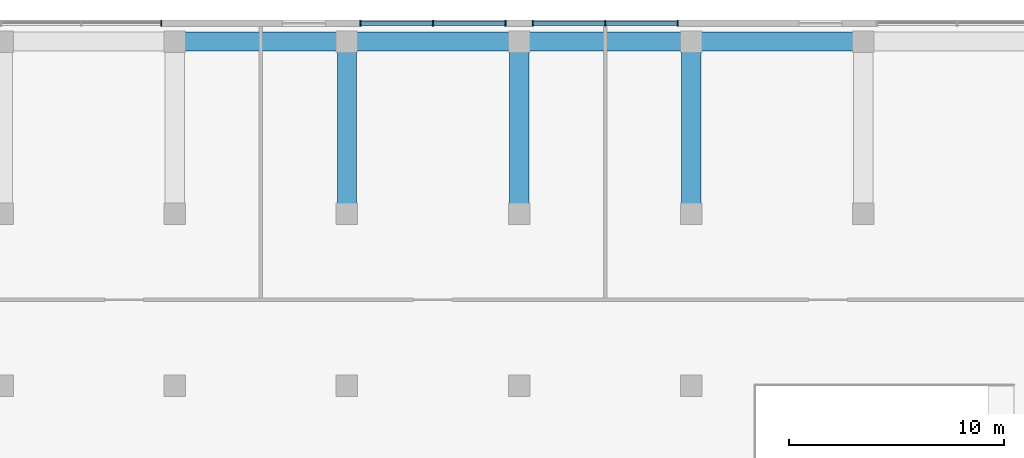
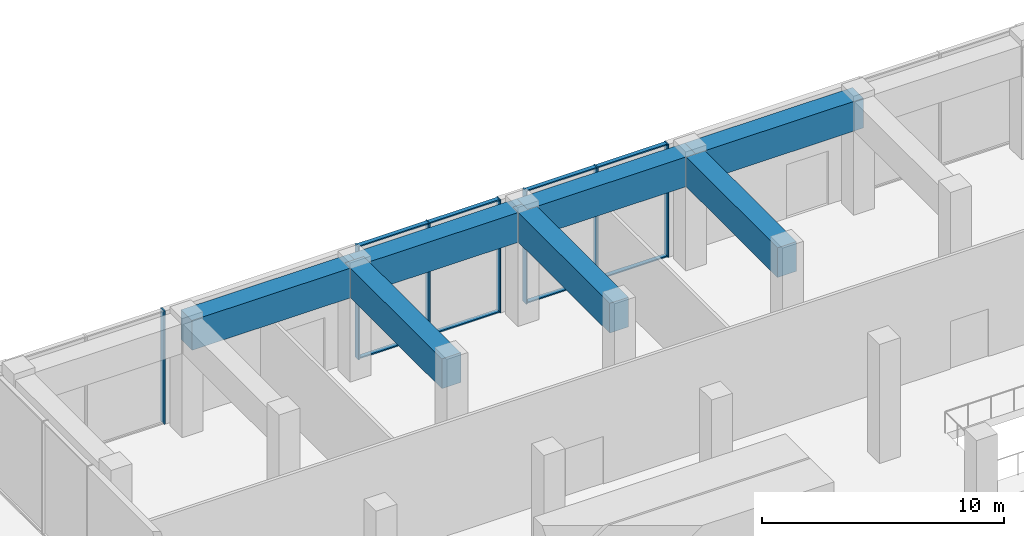
# One storey, part 17 of 39: 15 members, 7 beams, 3 elements without a shape of their own.
"""IFC4 building model written with IfcOpenShell, lengths in metres."""

import ifcopenshell
import ifcopenshell.guid

model = None  # the IFC model being written
_history = None  # IfcOwnerHistory: only IFC2X3 demands one
_inside = {}  # id of a spatial element -> (the spatial element, [elements in it])
_under = {}  # id of a project, library or spatial element -> (it, [spatial elements below it])
_declared = {}  # id of a project -> (the project, [libraries it declares])
_typed = {}  # id of a type object -> (the type object, [elements of that type])
_made_of = {}  # id of a material, layer set ... -> (it, [elements and type objects made of it])


def new_model(schema):
    """Start an empty IFC model of exactly this schema.

    Asked for "IFC4X3", IfcOpenShell would pick the latest addendum, in which some entities
    have other attributes; the version numbers below select the first issue.
    IFC2X3 requires an IfcOwnerHistory on every rooted entity: one is made here for all.
    """
    global model, _history
    if schema == "IFC4X3":
        model = ifcopenshell.file(schema_version=(4, 3, 0, 0))
    else:
        model = ifcopenshell.file(schema=schema)
    _inside.clear()
    _under.clear()
    _declared.clear()
    _typed.clear()
    _made_of.clear()
    _history = None
    if model.schema == "IFC2X3":
        org = make("IfcOrganization", Name="unknown")
        user = make(
            "IfcPersonAndOrganization",
            ThePerson=make("IfcPerson", FamilyName="unknown"),
            TheOrganization=org,
        )
        app = make(
            "IfcApplication",
            ApplicationDeveloper=org,
            Version="unknown",
            ApplicationFullName="unknown",
            ApplicationIdentifier="unknown",
        )
        _history = make(
            "IfcOwnerHistory",
            OwningUser=user,
            OwningApplication=app,
            ChangeAction="ADDED",
            CreationDate=0,
        )
    return model


def make(cls, **values):
    """One entity of the class cls with the attributes given. An attribute that is None is left unset."""
    return model.create_entity(
        cls, **{name: value for name, value in values.items() if value is not None}
    )


def rooted(cls, **values):
    """An entity with a GlobalId (a new one), such as an element, a storey or a relation."""
    return make(cls, GlobalId=ifcopenshell.guid.new(), OwnerHistory=_history, **values)


def si_unit(unit_type, name, prefix=None):
    """IfcSIUnit, for example si_unit("LENGTHUNIT", "METRE", prefix="MILLI")."""
    return make("IfcSIUnit", UnitType=unit_type, Prefix=prefix, Name=name)


def assignment(units):
    """IfcUnitAssignment: the units of a project."""
    return None if units is None else make("IfcUnitAssignment", Units=units)


def point(xyz):
    """IfcCartesianPoint."""
    return None if xyz is None else make("IfcCartesianPoint", Coordinates=xyz)


def direction(xyz):
    """IfcDirection."""
    return None if xyz is None else make("IfcDirection", DirectionRatios=xyz)


def frame(location, z_axis=None, x_axis=None):
    """IfcAxis2Placement3D, a coordinate frame: its origin and axes. An axis left out is left unset."""
    return make(
        "IfcAxis2Placement3D",
        Location=point(location),
        Axis=direction(z_axis),
        RefDirection=direction(x_axis),
    )


def frame_2d(location, x_axis=None):
    """IfcAxis2Placement2D, a coordinate frame in the plane: its origin and x axis."""
    return make(
        "IfcAxis2Placement2D", Location=point(location), RefDirection=direction(x_axis)
    )


def origin():
    """The frame at (0, 0, 0) with its axes left unset."""
    return frame((0.0, 0.0, 0.0))


def origin_2d():
    """The frame at (0, 0) in the plane with its x axis left unset."""
    return frame_2d((0.0, 0.0))


def place(relative_to, where):
    """IfcLocalPlacement: puts the frame where relative to a parent placement (None: the world)."""
    return make(
        "IfcLocalPlacement", PlacementRelTo=relative_to, RelativePlacement=where
    )


def context(
    kind, dimensions, precision=None, world=None, true_north=None, identifier=None
):
    """IfcGeometricRepresentationContext, for example the 3D "Model" context."""
    return make(
        "IfcGeometricRepresentationContext",
        ContextIdentifier=identifier,
        ContextType=kind,
        CoordinateSpaceDimension=dimensions,
        Precision=precision,
        WorldCoordinateSystem=world,
        TrueNorth=true_north,
    )


def subcontext(parent, identifier, kind, view, scale=None):
    """IfcGeometricRepresentationSubContext, for example "Body" below "Model"."""
    return make(
        "IfcGeometricRepresentationSubContext",
        ContextIdentifier=identifier,
        ContextType=kind,
        ParentContext=parent,
        TargetScale=scale,
        TargetView=view,
    )


def project(units=None, contexts=None):
    """IfcProject with its units and contexts."""
    return rooted(
        "IfcProject",
        Name="project",
        RepresentationContexts=contexts,
        UnitsInContext=assignment(units),
    )


def spatial(cls, under=None, at=None, **own):
    """A site, building, storey or space (cls), placed at a placement, below another one or the project."""
    s = rooted(cls, ObjectPlacement=at, **own)
    if under is not None:
        _under.setdefault(under.id(), (under, []))[1].append(s)
    return s


def profile(cls, at=None, kind="AREA", **sizes):
    """A parametric profile (cls). Its sizes go by their IFC names, for example OverallWidth=200.0."""
    return make(cls, ProfileType=kind, Position=at, **sizes)


def rectangle(**sizes):
    """IfcRectangleProfileDef."""
    return profile("IfcRectangleProfileDef", **sizes)


def extrude(swept, where, along, depth):
    """IfcExtrudedAreaSolid: the profile swept, set in the frame where, extruded along a direction by depth."""
    return make(
        "IfcExtrudedAreaSolid",
        SweptArea=swept,
        Position=where,
        ExtrudedDirection=direction(along),
        Depth=depth,
    )


def shape(context_of_items, identifier, shape_type, items):
    """IfcShapeRepresentation: the items that make up one representation, for example the "Body"."""
    return make(
        "IfcShapeRepresentation",
        ContextOfItems=context_of_items,
        RepresentationIdentifier=identifier,
        RepresentationType=shape_type,
        Items=items,
    )


def material(Name=None, Category=None):
    """IfcMaterial."""
    return make("IfcMaterial", Name=Name, Category=Category)


def material_profile(
    of_material, cross_section, Name=None, Category=None, Priority=None
):
    """IfcMaterialProfile: a cross section and its material."""
    return make(
        "IfcMaterialProfile",
        Name=Name,
        Material=of_material,
        Profile=cross_section,
        Priority=Priority,
        Category=Category,
    )


def profile_set(profiles, Name=None, composite=None):
    """IfcMaterialProfileSet."""
    return make(
        "IfcMaterialProfileSet",
        Name=Name,
        MaterialProfiles=profiles,
        CompositeProfile=composite,
    )


def made_of(thing, what):
    """Note that an element or type object is made of a material, layer set ...; save() writes the relation."""
    if what is not None:
        _made_of.setdefault(what.id(), (what, []))[1].append(thing)
    return thing


def type_object(cls, material=None, **own):
    """A type object (cls), such as IfcWallType, which elements share."""
    return made_of(rooted(cls, **own), material)


def element(
    cls,
    number,
    at=None,
    inside=None,
    cuts=None,
    type_object=None,
    material=None,
    context=None,
    identifier="Body",
    shape_type=None,
    held_by="IfcProductDefinitionShape",
    body=None,
    shapes=None,
    **own,
):
    """One element of the class cls, such as IfcWall. Its Tag is "e" and its number.

    at: its placement. inside: the storey or other place that contains it. cuts: it is an
    opening in that element (IfcRelVoidsElement). A single representation is given by context,
    identifier, shape_type and body (its items); several are given by shapes. held_by: the class
    of the entity that holds the representations. save() writes the other relations.
    """
    e = rooted(cls, Tag="e%d" % number, ObjectPlacement=at, **own)
    if body is not None:
        shapes = [shape(context, identifier, shape_type, body)]
    if shapes is not None:
        e.Representation = make(held_by, Representations=shapes)
    if inside is not None:
        _inside.setdefault(inside.id(), (inside, []))[1].append(e)
    if cuts is not None:
        rooted(
            "IfcRelVoidsElement", RelatingBuildingElement=cuts, RelatedOpeningElement=e
        )
    if type_object is not None:
        _typed.setdefault(type_object.id(), (type_object, []))[1].append(e)
    return made_of(e, material)


def aggregate(whole, parts):
    """IfcRelAggregates: a whole, such as a stair, and the parts it consists of."""
    return rooted("IfcRelAggregates", RelatingObject=whole, RelatedObjects=parts)


def save(model, path):
    """Write the relations noted so far, then the file.

    IfcRelAggregates (storeys below a building ...), IfcRelContainedInSpatialStructure (elements
    in a storey), IfcRelDefinesByType, IfcRelAssociatesMaterial and IfcRelDeclares: one each for
    every whole, place, type object, material and project.
    """
    for whole, parts in _under.values():
        aggregate(whole, parts)
    for where, things in _inside.values():
        rooted(
            "IfcRelContainedInSpatialStructure",
            RelatedElements=things,
            RelatingStructure=where,
        )
    for kind, things in _typed.values():
        rooted("IfcRelDefinesByType", RelatedObjects=things, RelatingType=kind)
    for what, things in _made_of.values():
        rooted("IfcRelAssociatesMaterial", RelatedObjects=things, RelatingMaterial=what)
    for by, libraries in _declared.values():
        rooted("IfcRelDeclares", RelatingContext=by, RelatedDefinitions=libraries)
    model.write(path)


model = new_model("IFC4")

# Units and contexts
model_context = context("Model", 3, precision=1e-05, world=origin(), true_north=direction((0.0, 1.0)))
body_context = subcontext(model_context, "Body", "Model", "MODEL_VIEW")
ifc_project = project(units=[si_unit("LENGTHUNIT", "METRE"), si_unit("AREAUNIT", "SQUARE_METRE"), si_unit("VOLUMEUNIT", "CUBIC_METRE"), si_unit("PLANEANGLEUNIT", "RADIAN"), si_unit("MASSUNIT", "GRAM", prefix="KILO")], contexts=[model_context])

# Site, building, storey
site_placement = place(None, origin())
site = spatial("IfcSite", under=ifc_project, at=site_placement, CompositionType="ELEMENT")
building_placement = place(site_placement, origin())
building = spatial("IfcBuilding", under=site, at=building_placement, Name="Ostroluk Exchange", CompositionType="ELEMENT")
storey_placement = place(building_placement, origin())
storey = spatial("IfcBuildingStorey", under=building, at=storey_placement, Name="L00", CompositionType="ELEMENT", Elevation=0.0)

# Beams
ifc_material_1 = material(Name="Concrete C50/60", Category="concrete")
ifc_material_profile_1 = material_profile(ifc_material_1, rectangle(XDim=0.89990234375, YDim=1.5, at=origin_2d()), Name="RC 900x1500")
ifc_profile_set_1 = profile_set([ifc_material_profile_1], Name="Concrete C50/60")
beam_type = type_object("IfcBeamType", Name="Podium edge beam RC 900x1500", PredefinedType="BEAM", material=ifc_profile_set_1)
for number, where, z_axis, x_axis, name in (
    (1, (109.0, 94.0, 4.949951171875), (0.0, -1.0, 0.0), (1.0, 0.0, 0.0), "Terrace beam L01 east N 109"),
    (2, (117.0, 94.0, 4.949951171875), (0.0, -1.0, 0.0), (1.0, 0.0, 0.0), "Terrace beam L01 east N 117"),
    (3, (125.0, 94.0, 4.949951171875), (0.0, -1.0, 0.0), (1.0, 0.0, 0.0), "Terrace beam L01 east N 125"),
    (4, (101.0, 94.0, 4.949951171875), (1.0, 0.0, 0.0), (0.0, 1.0, 0.0), "Terrace bay beam L01 Y94-101"),
    (5, (109.0, 94.0, 4.949951171875), (1.0, 0.0, 0.0), (0.0, 1.0, 0.0), "Terrace bay beam L01 Y94-109"),
    (6, (117.0, 94.0, 4.949951171875), (1.0, 0.0, 0.0), (0.0, 1.0, 0.0), "Terrace bay beam L01 Y94-117"),
    (7, (125.0, 94.0, 4.949951171875), (1.0, 0.0, 0.0), (0.0, 1.0, 0.0), "Terrace bay beam L01 Y94-125"),
):
    element("IfcBeam", number, at=place(storey_placement, frame(where, z_axis=z_axis, x_axis=x_axis)), inside=storey, type_object=beam_type, Name=name, PredefinedType="BEAM", context=body_context, shape_type="SweptSolid", body=[
        extrude(rectangle(XDim=0.89990234375, YDim=1.5, at=origin_2d()), origin(), (0.0, 0.0, 1.0), 8.0),
    ])

# Curtain wall, members
ifc_material_2 = material(Name="Laminated clear glass", Category="glass")
curtain_wall_type = type_object("IfcCurtainWallType", Name="Podium shopfront", PredefinedType="USERDEFINED", material=ifc_material_2)
curtain_wall_1_placement = place(storey_placement, origin())
curtain_wall_1 = element("IfcCurtainWall", 8, at=curtain_wall_1_placement, inside=storey, type_object=curtain_wall_type, Name="Podium east N shopfront 2", ObjectType="STICK SHOPFRONT", PredefinedType="USERDEFINED")
ifc_material_3 = material(Name="Aluminium mullion", Category="aluminium")
ifc_material_profile_2 = material_profile(ifc_material_3, rectangle(XDim=0.300048828125, YDim=0.06005859375, at=origin_2d()), Name="Shopfront mullion 60 x 300")
ifc_profile_set_2 = profile_set([ifc_material_profile_2], Name="Aluminium mullion")
member_type_1 = type_object("IfcMemberType", Name="Shopfront mullion 60 x 300", PredefinedType="MULLION", material=ifc_profile_set_2)
member_1_placement = place(storey_placement, frame((124.3701171875, 94.85009765625, 0.0), z_axis=(0.0, 0.0, 1.0), x_axis=(0.0, -1.0, 0.0)))
member_1 = element("IfcMember", 9, at=member_1_placement, type_object=member_type_1, Name="CW-SF1 mullion 1", PredefinedType="MULLION", context=body_context, shape_type="SweptSolid", body=[
    extrude(rectangle(XDim=0.300048828125, YDim=0.06005859375, at=origin_2d()), origin(), (0.0, 0.0, 1.0), 5.699951171875),
])
member_2_placement = place(storey_placement, frame((121.0, 94.85009765625, 0.0), z_axis=(0.0, 0.0, 1.0), x_axis=(0.0, -1.0, 0.0)))
member_2 = element("IfcMember", 10, at=member_2_placement, type_object=member_type_1, Name="CW-SF1 mullion 2", PredefinedType="MULLION", context=body_context, shape_type="SweptSolid", body=[
    extrude(rectangle(XDim=0.300048828125, YDim=0.06005859375, at=origin_2d()), origin(), (0.0, 0.0, 1.0), 5.699951171875),
])
member_3_placement = place(storey_placement, frame((117.6298828125, 94.85009765625, 0.0), z_axis=(0.0, 0.0, 1.0), x_axis=(0.0, -1.0, 0.0)))
member_3 = element("IfcMember", 11, at=member_3_placement, type_object=member_type_1, Name="CW-SF1 mullion 3", PredefinedType="MULLION", context=body_context, shape_type="SweptSolid", body=[
    extrude(rectangle(XDim=0.300048828125, YDim=0.06005859375, at=origin_2d()), origin(), (0.0, 0.0, 1.0), 5.699951171875),
])

curtain_wall_2_placement = place(storey_placement, origin())
curtain_wall_2 = element("IfcCurtainWall", 12, at=curtain_wall_2_placement, inside=storey, type_object=curtain_wall_type, Name="Podium east N shopfront 3", ObjectType="STICK SHOPFRONT", PredefinedType="USERDEFINED")
member_4_placement = place(storey_placement, frame((116.3701171875, 94.85009765625, 0.0), z_axis=(0.0, 0.0, 1.0), x_axis=(0.0, -1.0, 0.0)))
member_4 = element("IfcMember", 13, at=member_4_placement, type_object=member_type_1, Name="CW-SF1 mullion 1", PredefinedType="MULLION", context=body_context, shape_type="SweptSolid", body=[
    extrude(rectangle(XDim=0.300048828125, YDim=0.06005859375, at=origin_2d()), origin(), (0.0, 0.0, 1.0), 5.699951171875),
])
member_5_placement = place(storey_placement, frame((113.0, 94.85009765625, 0.0), z_axis=(0.0, 0.0, 1.0), x_axis=(0.0, -1.0, 0.0)))
member_5 = element("IfcMember", 14, at=member_5_placement, type_object=member_type_1, Name="CW-SF1 mullion 2", PredefinedType="MULLION", context=body_context, shape_type="SweptSolid", body=[
    extrude(rectangle(XDim=0.300048828125, YDim=0.06005859375, at=origin_2d()), origin(), (0.0, 0.0, 1.0), 5.699951171875),
])
member_6_placement = place(storey_placement, frame((109.6298828125, 94.85009765625, 0.0), z_axis=(0.0, 0.0, 1.0), x_axis=(0.0, -1.0, 0.0)))
member_6 = element("IfcMember", 15, at=member_6_placement, type_object=member_type_1, Name="CW-SF1 mullion 3", PredefinedType="MULLION", context=body_context, shape_type="SweptSolid", body=[
    extrude(rectangle(XDim=0.300048828125, YDim=0.06005859375, at=origin_2d()), origin(), (0.0, 0.0, 1.0), 5.699951171875),
])

# Curtain wall, member
curtain_wall_3_placement = place(storey_placement, origin())
curtain_wall_3 = element("IfcCurtainWall", 16, at=curtain_wall_3_placement, inside=storey, type_object=curtain_wall_type, Name="Podium east N shopfront 4", ObjectType="STICK SHOPFRONT", PredefinedType="USERDEFINED")
member_7_placement = place(storey_placement, frame((100.3701171875, 94.85009765625, 0.0), z_axis=(0.0, 0.0, 1.0), x_axis=(0.0, -1.0, 0.0)))
member_7 = element("IfcMember", 17, at=member_7_placement, type_object=member_type_1, Name="CW-SF1 mullion 1", PredefinedType="MULLION", context=body_context, shape_type="SweptSolid", body=[
    extrude(rectangle(XDim=0.300048828125, YDim=0.06005859375, at=origin_2d()), origin(), (0.0, 0.0, 1.0), 5.699951171875),
])
aggregate(curtain_wall_3, [member_7])

# Member
ifc_material_4 = material(Name="Aluminium mullion", Category="aluminium")
ifc_material_profile_3 = material_profile(ifc_material_4, rectangle(XDim=0.199951171875, YDim=0.06005859375, at=origin_2d()), Name="Shopfront transom 60 x 200")
ifc_profile_set_3 = profile_set([ifc_material_profile_3], Name="Aluminium mullion")
member_type_2 = type_object("IfcMemberType", Name="Shopfront transom 60 x 200", PredefinedType="USERDEFINED", material=ifc_profile_set_3)
member_8_placement = place(storey_placement, frame((124.340087890625, 94.85009765625, 0.030029296875), z_axis=(-1.0, 0.0, 0.0), x_axis=(0.0, -1.0, 0.0)))
member_8 = element("IfcMember", 18, at=member_8_placement, type_object=member_type_2, Name="CW-SF1 transom 1.1", ObjectType="TRANSOM", PredefinedType="USERDEFINED", context=body_context, shape_type="SweptSolid", body=[
    extrude(rectangle(XDim=0.199951171875, YDim=0.06005859375, at=origin_2d()), origin(), (0.0, 0.0, 1.0), 3.31005859375),
])

member_9_placement = place(storey_placement, frame((124.340087890625, 94.85009765625, 5.669921875), z_axis=(-1.0, 0.0, 0.0), x_axis=(0.0, -1.0, 0.0)))
member_9 = element("IfcMember", 19, at=member_9_placement, type_object=member_type_2, Name="CW-SF1 transom 1.2", ObjectType="TRANSOM", PredefinedType="USERDEFINED", context=body_context, shape_type="SweptSolid", body=[
    extrude(rectangle(XDim=0.199951171875, YDim=0.06005859375, at=origin_2d()), origin(), (0.0, 0.0, 1.0), 3.31005859375),
])

member_10_placement = place(storey_placement, frame((120.969970703125, 94.85009765625, 0.030029296875), z_axis=(-1.0, 0.0, 0.0), x_axis=(0.0, -1.0, 0.0)))
member_10 = element("IfcMember", 20, at=member_10_placement, type_object=member_type_2, Name="CW-SF1 transom 2.1", ObjectType="TRANSOM", PredefinedType="USERDEFINED", context=body_context, shape_type="SweptSolid", body=[
    extrude(rectangle(XDim=0.199951171875, YDim=0.06005859375, at=origin_2d()), origin(), (0.0, 0.0, 1.0), 3.31005859375),
])

member_11_placement = place(storey_placement, frame((120.969970703125, 94.85009765625, 5.669921875), z_axis=(-1.0, 0.0, 0.0), x_axis=(0.0, -1.0, 0.0)))
member_11 = element("IfcMember", 21, at=member_11_placement, type_object=member_type_2, Name="CW-SF1 transom 2.2", ObjectType="TRANSOM", PredefinedType="USERDEFINED", context=body_context, shape_type="SweptSolid", body=[
    extrude(rectangle(XDim=0.199951171875, YDim=0.06005859375, at=origin_2d()), origin(), (0.0, 0.0, 1.0), 3.31005859375),
])

aggregate(curtain_wall_1, [member_1, member_2, member_3, member_8, member_9, member_10, member_11])

member_12_placement = place(storey_placement, frame((116.340087890625, 94.85009765625, 0.030029296875), z_axis=(-1.0, 0.0, 0.0), x_axis=(0.0, -1.0, 0.0)))
member_12 = element("IfcMember", 22, at=member_12_placement, type_object=member_type_2, Name="CW-SF1 transom 1.1", ObjectType="TRANSOM", PredefinedType="USERDEFINED", context=body_context, shape_type="SweptSolid", body=[
    extrude(rectangle(XDim=0.199951171875, YDim=0.06005859375, at=origin_2d()), origin(), (0.0, 0.0, 1.0), 3.31005859375),
])

member_13_placement = place(storey_placement, frame((116.340087890625, 94.85009765625, 5.669921875), z_axis=(-1.0, 0.0, 0.0), x_axis=(0.0, -1.0, 0.0)))
member_13 = element("IfcMember", 23, at=member_13_placement, type_object=member_type_2, Name="CW-SF1 transom 1.2", ObjectType="TRANSOM", PredefinedType="USERDEFINED", context=body_context, shape_type="SweptSolid", body=[
    extrude(rectangle(XDim=0.199951171875, YDim=0.06005859375, at=origin_2d()), origin(), (0.0, 0.0, 1.0), 3.31005859375),
])

member_14_placement = place(storey_placement, frame((112.969970703125, 94.85009765625, 0.030029296875), z_axis=(-1.0, 0.0, 0.0), x_axis=(0.0, -1.0, 0.0)))
member_14 = element("IfcMember", 24, at=member_14_placement, type_object=member_type_2, Name="CW-SF1 transom 2.1", ObjectType="TRANSOM", PredefinedType="USERDEFINED", context=body_context, shape_type="SweptSolid", body=[
    extrude(rectangle(XDim=0.199951171875, YDim=0.06005859375, at=origin_2d()), origin(), (0.0, 0.0, 1.0), 3.31005859375),
])

member_15_placement = place(storey_placement, frame((112.969970703125, 94.85009765625, 5.669921875), z_axis=(-1.0, 0.0, 0.0), x_axis=(0.0, -1.0, 0.0)))
member_15 = element("IfcMember", 25, at=member_15_placement, type_object=member_type_2, Name="CW-SF1 transom 2.2", ObjectType="TRANSOM", PredefinedType="USERDEFINED", context=body_context, shape_type="SweptSolid", body=[
    extrude(rectangle(XDim=0.199951171875, YDim=0.06005859375, at=origin_2d()), origin(), (0.0, 0.0, 1.0), 3.31005859375),
])

aggregate(curtain_wall_2, [member_4, member_5, member_6, member_12, member_13, member_14, member_15])

save(model, "model.ifc")
